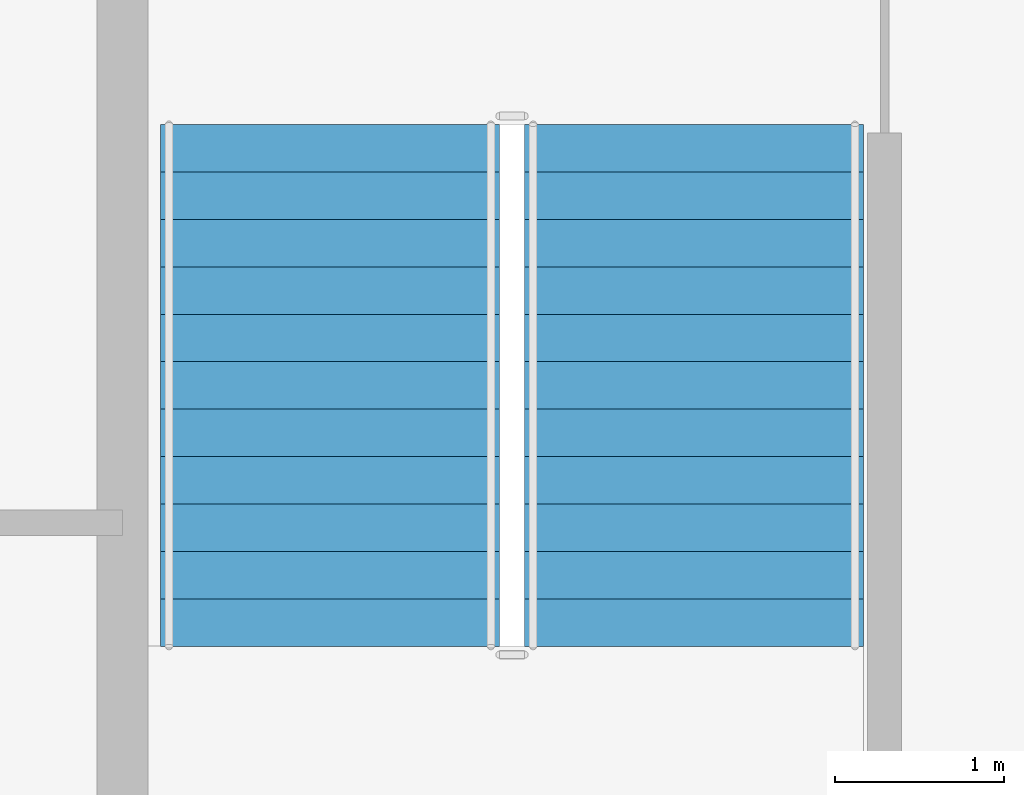
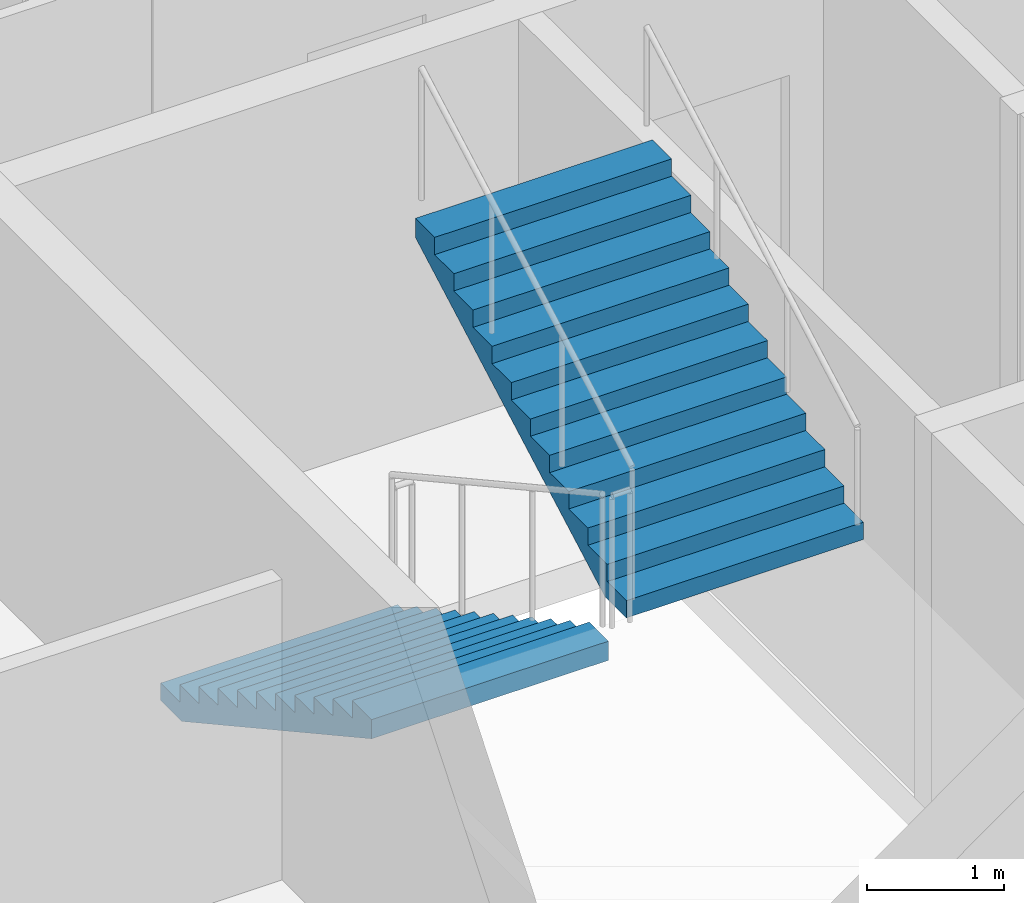
# One storey, part 7 of 11: 2 stair flights, 1 element without a shape of its own.
"""IFC4 building model written with IfcOpenShell, lengths in metres."""

import ifcopenshell
import ifcopenshell.guid

model = None  # the IFC model being written
_history = None  # IfcOwnerHistory: only IFC2X3 demands one
_inside = {}  # id of a spatial element -> (the spatial element, [elements in it])
_under = {}  # id of a project, library or spatial element -> (it, [spatial elements below it])
_declared = {}  # id of a project -> (the project, [libraries it declares])
_typed = {}  # id of a type object -> (the type object, [elements of that type])
_made_of = {}  # id of a material, layer set ... -> (it, [elements and type objects made of it])


def new_model(schema):
    """Start an empty IFC model of exactly this schema.

    Asked for "IFC4X3", IfcOpenShell would pick the latest addendum, in which some entities
    have other attributes; the version numbers below select the first issue.
    IFC2X3 requires an IfcOwnerHistory on every rooted entity: one is made here for all.
    """
    global model, _history
    if schema == "IFC4X3":
        model = ifcopenshell.file(schema_version=(4, 3, 0, 0))
    else:
        model = ifcopenshell.file(schema=schema)
    _inside.clear()
    _under.clear()
    _declared.clear()
    _typed.clear()
    _made_of.clear()
    _history = None
    if model.schema == "IFC2X3":
        org = make("IfcOrganization", Name="unknown")
        user = make(
            "IfcPersonAndOrganization",
            ThePerson=make("IfcPerson", FamilyName="unknown"),
            TheOrganization=org,
        )
        app = make(
            "IfcApplication",
            ApplicationDeveloper=org,
            Version="unknown",
            ApplicationFullName="unknown",
            ApplicationIdentifier="unknown",
        )
        _history = make(
            "IfcOwnerHistory",
            OwningUser=user,
            OwningApplication=app,
            ChangeAction="ADDED",
            CreationDate=0,
        )
    return model


def make(cls, **values):
    """One entity of the class cls with the attributes given. An attribute that is None is left unset."""
    return model.create_entity(
        cls, **{name: value for name, value in values.items() if value is not None}
    )


def rooted(cls, **values):
    """An entity with a GlobalId (a new one), such as an element, a storey or a relation."""
    return make(cls, GlobalId=ifcopenshell.guid.new(), OwnerHistory=_history, **values)


def si_unit(unit_type, name, prefix=None):
    """IfcSIUnit, for example si_unit("LENGTHUNIT", "METRE", prefix="MILLI")."""
    return make("IfcSIUnit", UnitType=unit_type, Prefix=prefix, Name=name)


def assignment(units):
    """IfcUnitAssignment: the units of a project."""
    return None if units is None else make("IfcUnitAssignment", Units=units)


def point(xyz):
    """IfcCartesianPoint."""
    return None if xyz is None else make("IfcCartesianPoint", Coordinates=xyz)


def direction(xyz):
    """IfcDirection."""
    return None if xyz is None else make("IfcDirection", DirectionRatios=xyz)


def frame(location, z_axis=None, x_axis=None):
    """IfcAxis2Placement3D, a coordinate frame: its origin and axes. An axis left out is left unset."""
    return make(
        "IfcAxis2Placement3D",
        Location=point(location),
        Axis=direction(z_axis),
        RefDirection=direction(x_axis),
    )


def origin():
    """The frame at (0, 0, 0) with its axes left unset."""
    return frame((0.0, 0.0, 0.0))


def place(relative_to, where):
    """IfcLocalPlacement: puts the frame where relative to a parent placement (None: the world)."""
    return make(
        "IfcLocalPlacement", PlacementRelTo=relative_to, RelativePlacement=where
    )


def context(
    kind, dimensions, precision=None, world=None, true_north=None, identifier=None
):
    """IfcGeometricRepresentationContext, for example the 3D "Model" context."""
    return make(
        "IfcGeometricRepresentationContext",
        ContextIdentifier=identifier,
        ContextType=kind,
        CoordinateSpaceDimension=dimensions,
        Precision=precision,
        WorldCoordinateSystem=world,
        TrueNorth=true_north,
    )


def subcontext(parent, identifier, kind, view, scale=None):
    """IfcGeometricRepresentationSubContext, for example "Body" below "Model"."""
    return make(
        "IfcGeometricRepresentationSubContext",
        ContextIdentifier=identifier,
        ContextType=kind,
        ParentContext=parent,
        TargetScale=scale,
        TargetView=view,
    )


def project(units=None, contexts=None):
    """IfcProject with its units and contexts."""
    return rooted(
        "IfcProject",
        Name="project",
        RepresentationContexts=contexts,
        UnitsInContext=assignment(units),
    )


def spatial(cls, under=None, at=None, **own):
    """A site, building, storey or space (cls), placed at a placement, below another one or the project."""
    s = rooted(cls, ObjectPlacement=at, **own)
    if under is not None:
        _under.setdefault(under.id(), (under, []))[1].append(s)
    return s


def point_list(points):
    """IfcCartesianPointList2D or 3D."""
    cls = (
        "IfcCartesianPointList2D" if len(points[0]) == 2 else "IfcCartesianPointList3D"
    )
    return make(cls, CoordList=points)


def polygons(points, faces, closed=None, point_numbers=None):
    """IfcPolygonalFaceSet: a face is its outer loop, then its inner loops; points numbered from 1."""
    made = []
    for loops in faces:
        if len(loops) == 1:
            made.append(make("IfcIndexedPolygonalFace", CoordIndex=loops[0]))
        else:
            made.append(
                make(
                    "IfcIndexedPolygonalFaceWithVoids",
                    CoordIndex=loops[0],
                    InnerCoordIndices=loops[1:],
                )
            )
    return make(
        "IfcPolygonalFaceSet",
        Coordinates=point_list(points),
        Closed=closed,
        Faces=made,
        PnIndex=point_numbers,
    )


def shape(context_of_items, identifier, shape_type, items):
    """IfcShapeRepresentation: the items that make up one representation, for example the "Body"."""
    return make(
        "IfcShapeRepresentation",
        ContextOfItems=context_of_items,
        RepresentationIdentifier=identifier,
        RepresentationType=shape_type,
        Items=items,
    )


def material(Name=None, Category=None):
    """IfcMaterial."""
    return make("IfcMaterial", Name=Name, Category=Category)


def made_of(thing, what):
    """Note that an element or type object is made of a material, layer set ...; save() writes the relation."""
    if what is not None:
        _made_of.setdefault(what.id(), (what, []))[1].append(thing)
    return thing


def type_object(cls, material=None, **own):
    """A type object (cls), such as IfcWallType, which elements share."""
    return made_of(rooted(cls, **own), material)


def element(
    cls,
    number,
    at=None,
    inside=None,
    cuts=None,
    type_object=None,
    material=None,
    context=None,
    identifier="Body",
    shape_type=None,
    held_by="IfcProductDefinitionShape",
    body=None,
    shapes=None,
    **own,
):
    """One element of the class cls, such as IfcWall. Its Tag is "e" and its number.

    at: its placement. inside: the storey or other place that contains it. cuts: it is an
    opening in that element (IfcRelVoidsElement). A single representation is given by context,
    identifier, shape_type and body (its items); several are given by shapes. held_by: the class
    of the entity that holds the representations. save() writes the other relations.
    """
    e = rooted(cls, Tag="e%d" % number, ObjectPlacement=at, **own)
    if body is not None:
        shapes = [shape(context, identifier, shape_type, body)]
    if shapes is not None:
        e.Representation = make(held_by, Representations=shapes)
    if inside is not None:
        _inside.setdefault(inside.id(), (inside, []))[1].append(e)
    if cuts is not None:
        rooted(
            "IfcRelVoidsElement", RelatingBuildingElement=cuts, RelatedOpeningElement=e
        )
    if type_object is not None:
        _typed.setdefault(type_object.id(), (type_object, []))[1].append(e)
    return made_of(e, material)


def aggregate(whole, parts):
    """IfcRelAggregates: a whole, such as a stair, and the parts it consists of."""
    return rooted("IfcRelAggregates", RelatingObject=whole, RelatedObjects=parts)


def save(model, path):
    """Write the relations noted so far, then the file.

    IfcRelAggregates (storeys below a building ...), IfcRelContainedInSpatialStructure (elements
    in a storey), IfcRelDefinesByType, IfcRelAssociatesMaterial and IfcRelDeclares: one each for
    every whole, place, type object, material and project.
    """
    for whole, parts in _under.values():
        aggregate(whole, parts)
    for where, things in _inside.values():
        rooted(
            "IfcRelContainedInSpatialStructure",
            RelatedElements=things,
            RelatingStructure=where,
        )
    for kind, things in _typed.values():
        rooted("IfcRelDefinesByType", RelatedObjects=things, RelatingType=kind)
    for what, things in _made_of.values():
        rooted("IfcRelAssociatesMaterial", RelatedObjects=things, RelatingMaterial=what)
    for by, libraries in _declared.values():
        rooted("IfcRelDeclares", RelatingContext=by, RelatedDefinitions=libraries)
    model.write(path)


model = new_model("IFC4")

# Units and contexts
model_context = context("Model", 3, precision=1e-05, world=origin(), true_north=direction((0.0, 1.0)))
body_context = subcontext(model_context, "Body", "Model", "MODEL_VIEW")
ifc_project = project(units=[si_unit("LENGTHUNIT", "METRE"), si_unit("AREAUNIT", "SQUARE_METRE"), si_unit("VOLUMEUNIT", "CUBIC_METRE"), si_unit("PLANEANGLEUNIT", "RADIAN"), si_unit("MASSUNIT", "GRAM", prefix="KILO")], contexts=[model_context])

# Site, building, storey
site_placement = place(None, origin())
site = spatial("IfcSite", under=ifc_project, at=site_placement, CompositionType="ELEMENT")
building_placement = place(site_placement, origin())
building = spatial("IfcBuilding", under=site, at=building_placement, Name="Caravel Reach Hotel and Residences", CompositionType="ELEMENT")
storey_placement = place(building_placement, frame((0.0, 0.0, 260.10009765625)))
storey = spatial("IfcBuildingStorey", under=building, at=storey_placement, Name="L66", CompositionType="ELEMENT", Elevation=260.10009765625)

# Stair, stair flights
ifc_material_1 = material(Name="Concrete C40", Category="concrete")
stair_type = type_object("IfcStairType", Name="Core stair", PredefinedType="HALF_TURN_STAIR", material=ifc_material_1)
stair_placement = place(storey_placement, origin())
stair = element("IfcStair", 1, at=stair_placement, inside=storey, type_object=stair_type, Name="L66 Exit stair A", PredefinedType="HALF_TURN_STAIR")
ifc_material_2 = material(Name="Concrete C40", Category="concrete")
stair_flight_type = type_object("IfcStairFlightType", Name="Core stair flight", PredefinedType="STRAIGHT", material=ifc_material_2)
stair_flight_1_placement = place(storey_placement, frame((19.22509765625, 29.35009765625, 0.0), z_axis=(0.0, 0.0, 1.0), x_axis=(0.0, -1.0, 0.0)))
stair_flight_1 = element("IfcStairFlight", 2, at=stair_flight_1_placement, type_object=stair_flight_type, Name="ST-A flight 1", NumberOfRisers=12, NumberOfTreads=11, PredefinedType="STRAIGHT", RiserHeight=0.154166667, TreadLength=0.28, context=body_context, shape_type="Tessellation", body=[
    polygons([(0.3107950034306102, 1.0, 0.0), (0.3107950034306102, 0.6666666666666667, 0.0), (0.3107950034306102, 0.33333333333333337, 0.0), (0.3107950034306102, 0.0, 0.0), (0.3107950034306102, -0.33333333333333326, 0.0), (0.3107950034306102, -0.6666666666666667, 0.0), (0.3107950034306102, -1.0, 0.0), (3.081, 1.0, 1.524711087717319), (3.081, 0.6666666666666667, 1.524711087717319), (3.081, 0.33333333333333337, 1.524711087717319), (3.081, 0.0, 1.524711087717319), (3.081, -0.33333333333333326, 1.524711087717319), (3.081, -0.6666666666666667, 1.524711087717319), (3.081, -1.0, 1.524711087717319), (3.081, 1.0, 1.695833337), (3.081, 0.6666666666666667, 1.695833337), (3.081, 0.33333333333333337, 1.695833337), (3.081, 0.0, 1.695833337), (3.081, -0.33333333333333326, 1.695833337), (3.081, -0.6666666666666667, 1.695833337), (3.081, -1.0, 1.695833337), (2.8000000000000003, 1.0, 1.695833337), (2.8000000000000003, 0.6666666666666667, 1.695833337), (2.8000000000000003, 0.33333333333333337, 1.695833337), (2.8000000000000003, 0.0, 1.695833337), (2.8000000000000003, -0.33333333333333326, 1.695833337), (2.8000000000000003, -0.6666666666666667, 1.695833337), (2.8000000000000003, -1.0, 1.695833337), (2.8000000000000003, 1.0, 1.5416666700000001), (2.8000000000000003, 0.6666666666666667, 1.5416666700000001), (2.8000000000000003, 0.33333333333333337, 1.5416666700000001), (2.8000000000000003, 0.0, 1.5416666700000001), (2.8000000000000003, -0.33333333333333326, 1.5416666700000001), (2.8000000000000003, -0.6666666666666667, 1.5416666700000001), (2.8000000000000003, -1.0, 1.5416666700000001), (2.5200000000000005, 1.0, 1.5416666700000001), (2.5200000000000005, 0.6666666666666667, 1.5416666700000001), (2.5200000000000005, 0.33333333333333337, 1.5416666700000001), (2.5200000000000005, 0.0, 1.5416666700000001), (2.5200000000000005, -0.33333333333333326, 1.5416666700000001), (2.5200000000000005, -0.6666666666666667, 1.5416666700000001), (2.5200000000000005, -1.0, 1.5416666700000001), (2.5200000000000005, 1.0, 1.387500003), (2.5200000000000005, 0.6666666666666667, 1.387500003), (2.5200000000000005, 0.33333333333333337, 1.387500003), (2.5200000000000005, 0.0, 1.387500003), (2.5200000000000005, -0.33333333333333326, 1.387500003), (2.5200000000000005, -0.6666666666666667, 1.387500003), (2.5200000000000005, -1.0, 1.387500003), (2.24, 1.0, 1.387500003), (2.24, 0.6666666666666667, 1.387500003), (2.24, 0.33333333333333337, 1.387500003), (2.24, 0.0, 1.387500003), (2.24, -0.33333333333333326, 1.387500003), (2.24, -0.6666666666666667, 1.387500003), (2.24, -1.0, 1.387500003), (2.24, 1.0, 1.233333336), (2.24, 0.6666666666666667, 1.233333336), (2.24, 0.33333333333333337, 1.233333336), (2.24, 0.0, 1.233333336), (2.24, -0.33333333333333326, 1.233333336), (2.24, -0.6666666666666667, 1.233333336), (2.24, -1.0, 1.233333336), (1.9600000000000002, 1.0, 1.233333336), (1.9600000000000002, 0.6666666666666667, 1.233333336), (1.9600000000000002, 0.33333333333333337, 1.233333336), (1.9600000000000002, 0.0, 1.233333336), (1.9600000000000002, -0.33333333333333326, 1.233333336), (1.9600000000000002, -0.6666666666666667, 1.233333336), (1.9600000000000002, -1.0, 1.233333336), (1.9600000000000002, 1.0, 1.0791666690000001), (1.9600000000000002, 0.6666666666666667, 1.0791666690000001), (1.9600000000000002, 0.33333333333333337, 1.0791666690000001), (1.9600000000000002, 0.0, 1.0791666690000001), (1.9600000000000002, -0.33333333333333326, 1.0791666690000001), (1.9600000000000002, -0.6666666666666667, 1.0791666690000001), (1.9600000000000002, -1.0, 1.0791666690000001), (1.6800000000000002, 1.0, 1.0791666690000001), (1.6800000000000002, 0.6666666666666667, 1.0791666690000001), (1.6800000000000002, 0.33333333333333337, 1.0791666690000001), (1.6800000000000002, 0.0, 1.0791666690000001), (1.6800000000000002, -0.33333333333333326, 1.0791666690000001), (1.6800000000000002, -0.6666666666666667, 1.0791666690000001), (1.6800000000000002, -1.0, 1.0791666690000001), (1.6800000000000002, 1.0, 0.925000002), (1.6800000000000002, 0.6666666666666667, 0.925000002), (1.6800000000000002, 0.33333333333333337, 0.925000002), (1.6800000000000002, 0.0, 0.925000002), (1.6800000000000002, -0.33333333333333326, 0.925000002), (1.6800000000000002, -0.6666666666666667, 0.925000002), (1.6800000000000002, -1.0, 0.925000002), (1.4000000000000001, 1.0, 0.925000002), (1.4000000000000001, 0.6666666666666667, 0.925000002), (1.4000000000000001, 0.33333333333333337, 0.925000002), (1.4000000000000001, 0.0, 0.925000002), (1.4000000000000001, -0.33333333333333326, 0.925000002), (1.4000000000000001, -0.6666666666666667, 0.925000002), (1.4000000000000001, -1.0, 0.925000002), (1.4000000000000001, 1.0, 0.7708333350000001), (1.4000000000000001, 0.6666666666666667, 0.7708333350000001), (1.4000000000000001, 0.33333333333333337, 0.7708333350000001), (1.4000000000000001, 0.0, 0.7708333350000001), (1.4000000000000001, -0.33333333333333326, 0.7708333350000001), (1.4000000000000001, -0.6666666666666667, 0.7708333350000001), (1.4000000000000001, -1.0, 0.7708333350000001), (1.12, 1.0, 0.7708333350000001), (1.12, 0.6666666666666667, 0.7708333350000001), (1.12, 0.33333333333333337, 0.7708333350000001), (1.12, 0.0, 0.7708333350000001), (1.12, -0.33333333333333326, 0.7708333350000001), (1.12, -0.6666666666666667, 0.7708333350000001), (1.12, -1.0, 0.7708333350000001), (1.12, 1.0, 0.616666668), (1.12, 0.6666666666666667, 0.616666668), (1.12, 0.33333333333333337, 0.616666668), (1.12, 0.0, 0.616666668), (1.12, -0.33333333333333326, 0.616666668), (1.12, -0.6666666666666667, 0.616666668), (1.12, -1.0, 0.616666668), (0.8400000000000001, 1.0, 0.616666668), (0.8400000000000001, 0.6666666666666667, 0.616666668), (0.8400000000000001, 0.33333333333333337, 0.616666668), (0.8400000000000001, 0.0, 0.616666668), (0.8400000000000001, -0.33333333333333326, 0.616666668), (0.8400000000000001, -0.6666666666666667, 0.616666668), (0.8400000000000001, -1.0, 0.616666668), (0.8400000000000001, 1.0, 0.462500001), (0.8400000000000001, 0.6666666666666667, 0.462500001), (0.8400000000000001, 0.33333333333333337, 0.462500001), (0.8400000000000001, 0.0, 0.462500001), (0.8400000000000001, -0.33333333333333326, 0.462500001), (0.8400000000000001, -0.6666666666666667, 0.462500001), (0.8400000000000001, -1.0, 0.462500001), (0.56, 1.0, 0.462500001), (0.56, 0.6666666666666667, 0.462500001), (0.56, 0.33333333333333337, 0.462500001), (0.56, 0.0, 0.462500001), (0.56, -0.33333333333333326, 0.462500001), (0.56, -0.6666666666666667, 0.462500001), (0.56, -1.0, 0.462500001), (0.56, 1.0, 0.308333334), (0.56, 0.6666666666666667, 0.308333334), (0.56, 0.33333333333333337, 0.308333334), (0.56, 0.0, 0.308333334), (0.56, -0.33333333333333326, 0.308333334), (0.56, -0.6666666666666667, 0.308333334), (0.56, -1.0, 0.308333334), (0.28, 1.0, 0.308333334), (0.28, 0.6666666666666667, 0.308333334), (0.28, 0.33333333333333337, 0.308333334), (0.28, 0.0, 0.308333334), (0.28, -0.33333333333333326, 0.308333334), (0.28, -0.6666666666666667, 0.308333334), (0.28, -1.0, 0.308333334), (0.28, 1.0, 0.154166667), (0.28, 0.6666666666666667, 0.154166667), (0.28, 0.33333333333333337, 0.154166667), (0.28, 0.0, 0.154166667), (0.28, -0.33333333333333326, 0.154166667), (0.28, -0.6666666666666667, 0.154166667), (0.28, -1.0, 0.154166667), (-0.001, 1.0, 0.154166667), (-0.001, 0.6666666666666667, 0.154166667), (-0.001, 0.33333333333333337, 0.154166667), (-0.001, 0.0, 0.154166667), (-0.001, -0.33333333333333326, 0.154166667), (-0.001, -0.6666666666666667, 0.154166667), (-0.001, -1.0, 0.154166667), (-0.001, 1.0, 0.0), (-0.001, 0.6666666666666667, 0.0), (-0.001, 0.33333333333333337, 0.0), (-0.001, 0.0, 0.0), (-0.001, -0.33333333333333326, 0.0), (-0.001, -0.6666666666666667, 0.0), (-0.001, -1.0, 0.0)], [[[169, 162, 155, 148, 141, 134, 127, 120, 113, 106, 99, 92, 85, 78, 71, 64, 57, 50, 43, 36, 29, 22, 15, 8, 1]], [[7, 14, 21, 28, 35, 42, 49, 56, 63, 70, 77, 84, 91, 98, 105, 112, 119, 126, 133, 140, 147, 154, 161, 168, 175]], [[1, 8, 9, 2]], [[2, 9, 10, 3]], [[3, 10, 11, 4]], [[4, 11, 12, 5]], [[5, 12, 13, 6]], [[6, 13, 14, 7]], [[8, 15, 16, 9]], [[9, 16, 17, 10]], [[10, 17, 18, 11]], [[11, 18, 19, 12]], [[12, 19, 20, 13]], [[13, 20, 21, 14]], [[15, 22, 23, 16]], [[16, 23, 24, 17]], [[17, 24, 25, 18]], [[18, 25, 26, 19]], [[19, 26, 27, 20]], [[20, 27, 28, 21]], [[22, 29, 30, 23]], [[23, 30, 31, 24]], [[24, 31, 32, 25]], [[25, 32, 33, 26]], [[26, 33, 34, 27]], [[27, 34, 35, 28]], [[29, 36, 37, 30]], [[30, 37, 38, 31]], [[31, 38, 39, 32]], [[32, 39, 40, 33]], [[33, 40, 41, 34]], [[34, 41, 42, 35]], [[36, 43, 44, 37]], [[37, 44, 45, 38]], [[38, 45, 46, 39]], [[39, 46, 47, 40]], [[40, 47, 48, 41]], [[41, 48, 49, 42]], [[43, 50, 51, 44]], [[44, 51, 52, 45]], [[45, 52, 53, 46]], [[46, 53, 54, 47]], [[47, 54, 55, 48]], [[48, 55, 56, 49]], [[50, 57, 58, 51]], [[51, 58, 59, 52]], [[52, 59, 60, 53]], [[53, 60, 61, 54]], [[54, 61, 62, 55]], [[55, 62, 63, 56]], [[57, 64, 65, 58]], [[58, 65, 66, 59]], [[59, 66, 67, 60]], [[60, 67, 68, 61]], [[61, 68, 69, 62]], [[62, 69, 70, 63]], [[64, 71, 72, 65]], [[65, 72, 73, 66]], [[66, 73, 74, 67]], [[67, 74, 75, 68]], [[68, 75, 76, 69]], [[69, 76, 77, 70]], [[71, 78, 79, 72]], [[72, 79, 80, 73]], [[73, 80, 81, 74]], [[74, 81, 82, 75]], [[75, 82, 83, 76]], [[76, 83, 84, 77]], [[78, 85, 86, 79]], [[79, 86, 87, 80]], [[80, 87, 88, 81]], [[81, 88, 89, 82]], [[82, 89, 90, 83]], [[83, 90, 91, 84]], [[85, 92, 93, 86]], [[86, 93, 94, 87]], [[87, 94, 95, 88]], [[88, 95, 96, 89]], [[89, 96, 97, 90]], [[90, 97, 98, 91]], [[92, 99, 100, 93]], [[93, 100, 101, 94]], [[94, 101, 102, 95]], [[95, 102, 103, 96]], [[96, 103, 104, 97]], [[97, 104, 105, 98]], [[99, 106, 107, 100]], [[100, 107, 108, 101]], [[101, 108, 109, 102]], [[102, 109, 110, 103]], [[103, 110, 111, 104]], [[104, 111, 112, 105]], [[106, 113, 114, 107]], [[107, 114, 115, 108]], [[108, 115, 116, 109]], [[109, 116, 117, 110]], [[110, 117, 118, 111]], [[111, 118, 119, 112]], [[113, 120, 121, 114]], [[114, 121, 122, 115]], [[115, 122, 123, 116]], [[116, 123, 124, 117]], [[117, 124, 125, 118]], [[118, 125, 126, 119]], [[120, 127, 128, 121]], [[121, 128, 129, 122]], [[122, 129, 130, 123]], [[123, 130, 131, 124]], [[124, 131, 132, 125]], [[125, 132, 133, 126]], [[127, 134, 135, 128]], [[128, 135, 136, 129]], [[129, 136, 137, 130]], [[130, 137, 138, 131]], [[131, 138, 139, 132]], [[132, 139, 140, 133]], [[134, 141, 142, 135]], [[135, 142, 143, 136]], [[136, 143, 144, 137]], [[137, 144, 145, 138]], [[138, 145, 146, 139]], [[139, 146, 147, 140]], [[141, 148, 149, 142]], [[142, 149, 150, 143]], [[143, 150, 151, 144]], [[144, 151, 152, 145]], [[145, 152, 153, 146]], [[146, 153, 154, 147]], [[148, 155, 156, 149]], [[149, 156, 157, 150]], [[150, 157, 158, 151]], [[151, 158, 159, 152]], [[152, 159, 160, 153]], [[153, 160, 161, 154]], [[155, 162, 163, 156]], [[156, 163, 164, 157]], [[157, 164, 165, 158]], [[158, 165, 166, 159]], [[159, 166, 167, 160]], [[160, 167, 168, 161]], [[162, 169, 170, 163]], [[163, 170, 171, 164]], [[164, 171, 172, 165]], [[165, 172, 173, 166]], [[166, 173, 174, 167]], [[167, 174, 175, 168]], [[169, 1, 2, 170]], [[170, 2, 3, 171]], [[171, 3, 4, 172]], [[172, 4, 5, 173]], [[173, 5, 6, 174]], [[174, 6, 7, 175]]], closed=True),
])
stair_flight_2_placement = place(storey_placement, frame((21.375, 26.27001953125, 1.849853515625), z_axis=(0.0, 0.0, 1.0), x_axis=(0.0, 1.0, 0.0)))
stair_flight_2 = element("IfcStairFlight", 3, at=stair_flight_2_placement, type_object=stair_flight_type, Name="ST-A flight 2", NumberOfRisers=12, NumberOfTreads=11, PredefinedType="STRAIGHT", RiserHeight=0.154166667, TreadLength=0.28, context=body_context, shape_type="Tessellation", body=[
    polygons([(0.3107950034306102, 1.0, 0.0), (0.3107950034306102, 0.6666666666666667, 0.0), (0.3107950034306102, 0.33333333333333337, 0.0), (0.3107950034306102, 0.0, 0.0), (0.3107950034306102, -0.33333333333333326, 0.0), (0.3107950034306102, -0.6666666666666667, 0.0), (0.3107950034306102, -1.0, 0.0), (3.081, 1.0, 1.524711087717319), (3.081, 0.6666666666666667, 1.524711087717319), (3.081, 0.33333333333333337, 1.524711087717319), (3.081, 0.0, 1.524711087717319), (3.081, -0.33333333333333326, 1.524711087717319), (3.081, -0.6666666666666667, 1.524711087717319), (3.081, -1.0, 1.524711087717319), (3.081, 1.0, 1.695833337), (3.081, 0.6666666666666667, 1.695833337), (3.081, 0.33333333333333337, 1.695833337), (3.081, 0.0, 1.695833337), (3.081, -0.33333333333333326, 1.695833337), (3.081, -0.6666666666666667, 1.695833337), (3.081, -1.0, 1.695833337), (2.8000000000000003, 1.0, 1.695833337), (2.8000000000000003, 0.6666666666666667, 1.695833337), (2.8000000000000003, 0.33333333333333337, 1.695833337), (2.8000000000000003, 0.0, 1.695833337), (2.8000000000000003, -0.33333333333333326, 1.695833337), (2.8000000000000003, -0.6666666666666667, 1.695833337), (2.8000000000000003, -1.0, 1.695833337), (2.8000000000000003, 1.0, 1.5416666700000001), (2.8000000000000003, 0.6666666666666667, 1.5416666700000001), (2.8000000000000003, 0.33333333333333337, 1.5416666700000001), (2.8000000000000003, 0.0, 1.5416666700000001), (2.8000000000000003, -0.33333333333333326, 1.5416666700000001), (2.8000000000000003, -0.6666666666666667, 1.5416666700000001), (2.8000000000000003, -1.0, 1.5416666700000001), (2.5200000000000005, 1.0, 1.5416666700000001), (2.5200000000000005, 0.6666666666666667, 1.5416666700000001), (2.5200000000000005, 0.33333333333333337, 1.5416666700000001), (2.5200000000000005, 0.0, 1.5416666700000001), (2.5200000000000005, -0.33333333333333326, 1.5416666700000001), (2.5200000000000005, -0.6666666666666667, 1.5416666700000001), (2.5200000000000005, -1.0, 1.5416666700000001), (2.5200000000000005, 1.0, 1.387500003), (2.5200000000000005, 0.6666666666666667, 1.387500003), (2.5200000000000005, 0.33333333333333337, 1.387500003), (2.5200000000000005, 0.0, 1.387500003), (2.5200000000000005, -0.33333333333333326, 1.387500003), (2.5200000000000005, -0.6666666666666667, 1.387500003), (2.5200000000000005, -1.0, 1.387500003), (2.24, 1.0, 1.387500003), (2.24, 0.6666666666666667, 1.387500003), (2.24, 0.33333333333333337, 1.387500003), (2.24, 0.0, 1.387500003), (2.24, -0.33333333333333326, 1.387500003), (2.24, -0.6666666666666667, 1.387500003), (2.24, -1.0, 1.387500003), (2.24, 1.0, 1.233333336), (2.24, 0.6666666666666667, 1.233333336), (2.24, 0.33333333333333337, 1.233333336), (2.24, 0.0, 1.233333336), (2.24, -0.33333333333333326, 1.233333336), (2.24, -0.6666666666666667, 1.233333336), (2.24, -1.0, 1.233333336), (1.9600000000000002, 1.0, 1.233333336), (1.9600000000000002, 0.6666666666666667, 1.233333336), (1.9600000000000002, 0.33333333333333337, 1.233333336), (1.9600000000000002, 0.0, 1.233333336), (1.9600000000000002, -0.33333333333333326, 1.233333336), (1.9600000000000002, -0.6666666666666667, 1.233333336), (1.9600000000000002, -1.0, 1.233333336), (1.9600000000000002, 1.0, 1.0791666690000001), (1.9600000000000002, 0.6666666666666667, 1.0791666690000001), (1.9600000000000002, 0.33333333333333337, 1.0791666690000001), (1.9600000000000002, 0.0, 1.0791666690000001), (1.9600000000000002, -0.33333333333333326, 1.0791666690000001), (1.9600000000000002, -0.6666666666666667, 1.0791666690000001), (1.9600000000000002, -1.0, 1.0791666690000001), (1.6800000000000002, 1.0, 1.0791666690000001), (1.6800000000000002, 0.6666666666666667, 1.0791666690000001), (1.6800000000000002, 0.33333333333333337, 1.0791666690000001), (1.6800000000000002, 0.0, 1.0791666690000001), (1.6800000000000002, -0.33333333333333326, 1.0791666690000001), (1.6800000000000002, -0.6666666666666667, 1.0791666690000001), (1.6800000000000002, -1.0, 1.0791666690000001), (1.6800000000000002, 1.0, 0.925000002), (1.6800000000000002, 0.6666666666666667, 0.925000002), (1.6800000000000002, 0.33333333333333337, 0.925000002), (1.6800000000000002, 0.0, 0.925000002), (1.6800000000000002, -0.33333333333333326, 0.925000002), (1.6800000000000002, -0.6666666666666667, 0.925000002), (1.6800000000000002, -1.0, 0.925000002), (1.4000000000000001, 1.0, 0.925000002), (1.4000000000000001, 0.6666666666666667, 0.925000002), (1.4000000000000001, 0.33333333333333337, 0.925000002), (1.4000000000000001, 0.0, 0.925000002), (1.4000000000000001, -0.33333333333333326, 0.925000002), (1.4000000000000001, -0.6666666666666667, 0.925000002), (1.4000000000000001, -1.0, 0.925000002), (1.4000000000000001, 1.0, 0.7708333350000001), (1.4000000000000001, 0.6666666666666667, 0.7708333350000001), (1.4000000000000001, 0.33333333333333337, 0.7708333350000001), (1.4000000000000001, 0.0, 0.7708333350000001), (1.4000000000000001, -0.33333333333333326, 0.7708333350000001), (1.4000000000000001, -0.6666666666666667, 0.7708333350000001), (1.4000000000000001, -1.0, 0.7708333350000001), (1.12, 1.0, 0.7708333350000001), (1.12, 0.6666666666666667, 0.7708333350000001), (1.12, 0.33333333333333337, 0.7708333350000001), (1.12, 0.0, 0.7708333350000001), (1.12, -0.33333333333333326, 0.7708333350000001), (1.12, -0.6666666666666667, 0.7708333350000001), (1.12, -1.0, 0.7708333350000001), (1.12, 1.0, 0.616666668), (1.12, 0.6666666666666667, 0.616666668), (1.12, 0.33333333333333337, 0.616666668), (1.12, 0.0, 0.616666668), (1.12, -0.33333333333333326, 0.616666668), (1.12, -0.6666666666666667, 0.616666668), (1.12, -1.0, 0.616666668), (0.8400000000000001, 1.0, 0.616666668), (0.8400000000000001, 0.6666666666666667, 0.616666668), (0.8400000000000001, 0.33333333333333337, 0.616666668), (0.8400000000000001, 0.0, 0.616666668), (0.8400000000000001, -0.33333333333333326, 0.616666668), (0.8400000000000001, -0.6666666666666667, 0.616666668), (0.8400000000000001, -1.0, 0.616666668), (0.8400000000000001, 1.0, 0.462500001), (0.8400000000000001, 0.6666666666666667, 0.462500001), (0.8400000000000001, 0.33333333333333337, 0.462500001), (0.8400000000000001, 0.0, 0.462500001), (0.8400000000000001, -0.33333333333333326, 0.462500001), (0.8400000000000001, -0.6666666666666667, 0.462500001), (0.8400000000000001, -1.0, 0.462500001), (0.56, 1.0, 0.462500001), (0.56, 0.6666666666666667, 0.462500001), (0.56, 0.33333333333333337, 0.462500001), (0.56, 0.0, 0.462500001), (0.56, -0.33333333333333326, 0.462500001), (0.56, -0.6666666666666667, 0.462500001), (0.56, -1.0, 0.462500001), (0.56, 1.0, 0.308333334), (0.56, 0.6666666666666667, 0.308333334), (0.56, 0.33333333333333337, 0.308333334), (0.56, 0.0, 0.308333334), (0.56, -0.33333333333333326, 0.308333334), (0.56, -0.6666666666666667, 0.308333334), (0.56, -1.0, 0.308333334), (0.28, 1.0, 0.308333334), (0.28, 0.6666666666666667, 0.308333334), (0.28, 0.33333333333333337, 0.308333334), (0.28, 0.0, 0.308333334), (0.28, -0.33333333333333326, 0.308333334), (0.28, -0.6666666666666667, 0.308333334), (0.28, -1.0, 0.308333334), (0.28, 1.0, 0.154166667), (0.28, 0.6666666666666667, 0.154166667), (0.28, 0.33333333333333337, 0.154166667), (0.28, 0.0, 0.154166667), (0.28, -0.33333333333333326, 0.154166667), (0.28, -0.6666666666666667, 0.154166667), (0.28, -1.0, 0.154166667), (-0.001, 1.0, 0.154166667), (-0.001, 0.6666666666666667, 0.154166667), (-0.001, 0.33333333333333337, 0.154166667), (-0.001, 0.0, 0.154166667), (-0.001, -0.33333333333333326, 0.154166667), (-0.001, -0.6666666666666667, 0.154166667), (-0.001, -1.0, 0.154166667), (-0.001, 1.0, 0.0), (-0.001, 0.6666666666666667, 0.0), (-0.001, 0.33333333333333337, 0.0), (-0.001, 0.0, 0.0), (-0.001, -0.33333333333333326, 0.0), (-0.001, -0.6666666666666667, 0.0), (-0.001, -1.0, 0.0)], [[[169, 162, 155, 148, 141, 134, 127, 120, 113, 106, 99, 92, 85, 78, 71, 64, 57, 50, 43, 36, 29, 22, 15, 8, 1]], [[7, 14, 21, 28, 35, 42, 49, 56, 63, 70, 77, 84, 91, 98, 105, 112, 119, 126, 133, 140, 147, 154, 161, 168, 175]], [[1, 8, 9, 2]], [[2, 9, 10, 3]], [[3, 10, 11, 4]], [[4, 11, 12, 5]], [[5, 12, 13, 6]], [[6, 13, 14, 7]], [[8, 15, 16, 9]], [[9, 16, 17, 10]], [[10, 17, 18, 11]], [[11, 18, 19, 12]], [[12, 19, 20, 13]], [[13, 20, 21, 14]], [[15, 22, 23, 16]], [[16, 23, 24, 17]], [[17, 24, 25, 18]], [[18, 25, 26, 19]], [[19, 26, 27, 20]], [[20, 27, 28, 21]], [[22, 29, 30, 23]], [[23, 30, 31, 24]], [[24, 31, 32, 25]], [[25, 32, 33, 26]], [[26, 33, 34, 27]], [[27, 34, 35, 28]], [[29, 36, 37, 30]], [[30, 37, 38, 31]], [[31, 38, 39, 32]], [[32, 39, 40, 33]], [[33, 40, 41, 34]], [[34, 41, 42, 35]], [[36, 43, 44, 37]], [[37, 44, 45, 38]], [[38, 45, 46, 39]], [[39, 46, 47, 40]], [[40, 47, 48, 41]], [[41, 48, 49, 42]], [[43, 50, 51, 44]], [[44, 51, 52, 45]], [[45, 52, 53, 46]], [[46, 53, 54, 47]], [[47, 54, 55, 48]], [[48, 55, 56, 49]], [[50, 57, 58, 51]], [[51, 58, 59, 52]], [[52, 59, 60, 53]], [[53, 60, 61, 54]], [[54, 61, 62, 55]], [[55, 62, 63, 56]], [[57, 64, 65, 58]], [[58, 65, 66, 59]], [[59, 66, 67, 60]], [[60, 67, 68, 61]], [[61, 68, 69, 62]], [[62, 69, 70, 63]], [[64, 71, 72, 65]], [[65, 72, 73, 66]], [[66, 73, 74, 67]], [[67, 74, 75, 68]], [[68, 75, 76, 69]], [[69, 76, 77, 70]], [[71, 78, 79, 72]], [[72, 79, 80, 73]], [[73, 80, 81, 74]], [[74, 81, 82, 75]], [[75, 82, 83, 76]], [[76, 83, 84, 77]], [[78, 85, 86, 79]], [[79, 86, 87, 80]], [[80, 87, 88, 81]], [[81, 88, 89, 82]], [[82, 89, 90, 83]], [[83, 90, 91, 84]], [[85, 92, 93, 86]], [[86, 93, 94, 87]], [[87, 94, 95, 88]], [[88, 95, 96, 89]], [[89, 96, 97, 90]], [[90, 97, 98, 91]], [[92, 99, 100, 93]], [[93, 100, 101, 94]], [[94, 101, 102, 95]], [[95, 102, 103, 96]], [[96, 103, 104, 97]], [[97, 104, 105, 98]], [[99, 106, 107, 100]], [[100, 107, 108, 101]], [[101, 108, 109, 102]], [[102, 109, 110, 103]], [[103, 110, 111, 104]], [[104, 111, 112, 105]], [[106, 113, 114, 107]], [[107, 114, 115, 108]], [[108, 115, 116, 109]], [[109, 116, 117, 110]], [[110, 117, 118, 111]], [[111, 118, 119, 112]], [[113, 120, 121, 114]], [[114, 121, 122, 115]], [[115, 122, 123, 116]], [[116, 123, 124, 117]], [[117, 124, 125, 118]], [[118, 125, 126, 119]], [[120, 127, 128, 121]], [[121, 128, 129, 122]], [[122, 129, 130, 123]], [[123, 130, 131, 124]], [[124, 131, 132, 125]], [[125, 132, 133, 126]], [[127, 134, 135, 128]], [[128, 135, 136, 129]], [[129, 136, 137, 130]], [[130, 137, 138, 131]], [[131, 138, 139, 132]], [[132, 139, 140, 133]], [[134, 141, 142, 135]], [[135, 142, 143, 136]], [[136, 143, 144, 137]], [[137, 144, 145, 138]], [[138, 145, 146, 139]], [[139, 146, 147, 140]], [[141, 148, 149, 142]], [[142, 149, 150, 143]], [[143, 150, 151, 144]], [[144, 151, 152, 145]], [[145, 152, 153, 146]], [[146, 153, 154, 147]], [[148, 155, 156, 149]], [[149, 156, 157, 150]], [[150, 157, 158, 151]], [[151, 158, 159, 152]], [[152, 159, 160, 153]], [[153, 160, 161, 154]], [[155, 162, 163, 156]], [[156, 163, 164, 157]], [[157, 164, 165, 158]], [[158, 165, 166, 159]], [[159, 166, 167, 160]], [[160, 167, 168, 161]], [[162, 169, 170, 163]], [[163, 170, 171, 164]], [[164, 171, 172, 165]], [[165, 172, 173, 166]], [[166, 173, 174, 167]], [[167, 174, 175, 168]], [[169, 1, 2, 170]], [[170, 2, 3, 171]], [[171, 3, 4, 172]], [[172, 4, 5, 173]], [[173, 5, 6, 174]], [[174, 6, 7, 175]]], closed=True),
])
aggregate(stair, [stair_flight_1, stair_flight_2])

save(model, "model.ifc")
